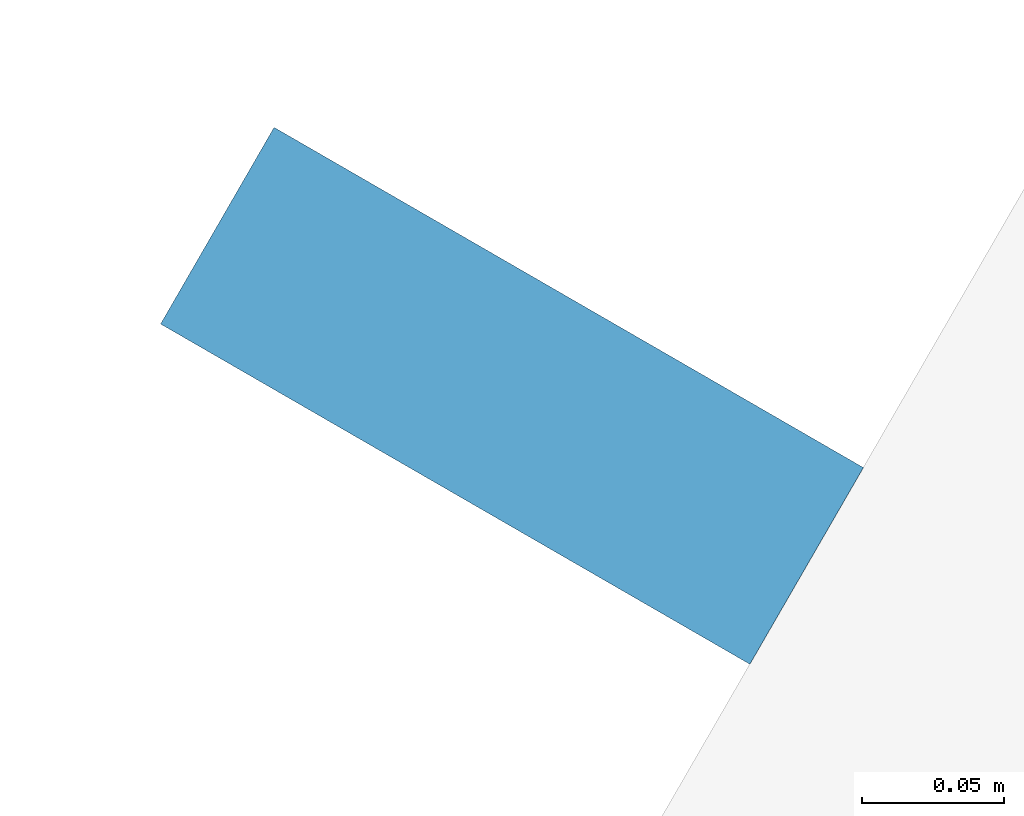
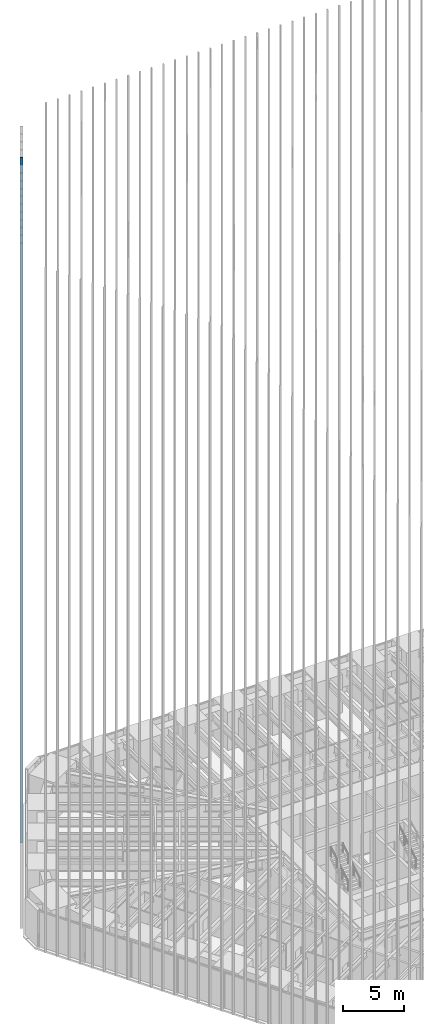
# One storey, part 153 of 256: 1 member, 1 element without a shape of its own.
"""IFC4 building model written with IfcOpenShell, lengths in metres."""

import ifcopenshell
import ifcopenshell.guid

model = None  # the IFC model being written
_history = None  # IfcOwnerHistory: only IFC2X3 demands one
_inside = {}  # id of a spatial element -> (the spatial element, [elements in it])
_under = {}  # id of a project, library or spatial element -> (it, [spatial elements below it])
_declared = {}  # id of a project -> (the project, [libraries it declares])
_typed = {}  # id of a type object -> (the type object, [elements of that type])
_made_of = {}  # id of a material, layer set ... -> (it, [elements and type objects made of it])


def new_model(schema):
    """Start an empty IFC model of exactly this schema.

    Asked for "IFC4X3", IfcOpenShell would pick the latest addendum, in which some entities
    have other attributes; the version numbers below select the first issue.
    IFC2X3 requires an IfcOwnerHistory on every rooted entity: one is made here for all.
    """
    global model, _history
    if schema == "IFC4X3":
        model = ifcopenshell.file(schema_version=(4, 3, 0, 0))
    else:
        model = ifcopenshell.file(schema=schema)
    _inside.clear()
    _under.clear()
    _declared.clear()
    _typed.clear()
    _made_of.clear()
    _history = None
    if model.schema == "IFC2X3":
        org = make("IfcOrganization", Name="unknown")
        user = make(
            "IfcPersonAndOrganization",
            ThePerson=make("IfcPerson", FamilyName="unknown"),
            TheOrganization=org,
        )
        app = make(
            "IfcApplication",
            ApplicationDeveloper=org,
            Version="unknown",
            ApplicationFullName="unknown",
            ApplicationIdentifier="unknown",
        )
        _history = make(
            "IfcOwnerHistory",
            OwningUser=user,
            OwningApplication=app,
            ChangeAction="ADDED",
            CreationDate=0,
        )
    return model


def make(cls, **values):
    """One entity of the class cls with the attributes given. An attribute that is None is left unset."""
    return model.create_entity(
        cls, **{name: value for name, value in values.items() if value is not None}
    )


def rooted(cls, **values):
    """An entity with a GlobalId (a new one), such as an element, a storey or a relation."""
    return make(cls, GlobalId=ifcopenshell.guid.new(), OwnerHistory=_history, **values)


def si_unit(unit_type, name, prefix=None):
    """IfcSIUnit, for example si_unit("LENGTHUNIT", "METRE", prefix="MILLI")."""
    return make("IfcSIUnit", UnitType=unit_type, Prefix=prefix, Name=name)


def assignment(units):
    """IfcUnitAssignment: the units of a project."""
    return None if units is None else make("IfcUnitAssignment", Units=units)


def point(xyz):
    """IfcCartesianPoint."""
    return None if xyz is None else make("IfcCartesianPoint", Coordinates=xyz)


def direction(xyz):
    """IfcDirection."""
    return None if xyz is None else make("IfcDirection", DirectionRatios=xyz)


def frame(location, z_axis=None, x_axis=None):
    """IfcAxis2Placement3D, a coordinate frame: its origin and axes. An axis left out is left unset."""
    return make(
        "IfcAxis2Placement3D",
        Location=point(location),
        Axis=direction(z_axis),
        RefDirection=direction(x_axis),
    )


def frame_2d(location, x_axis=None):
    """IfcAxis2Placement2D, a coordinate frame in the plane: its origin and x axis."""
    return make(
        "IfcAxis2Placement2D", Location=point(location), RefDirection=direction(x_axis)
    )


def origin():
    """The frame at (0, 0, 0) with its axes left unset."""
    return frame((0.0, 0.0, 0.0))


def origin_2d():
    """The frame at (0, 0) in the plane with its x axis left unset."""
    return frame_2d((0.0, 0.0))


def place(relative_to, where):
    """IfcLocalPlacement: puts the frame where relative to a parent placement (None: the world)."""
    return make(
        "IfcLocalPlacement", PlacementRelTo=relative_to, RelativePlacement=where
    )


def context(
    kind, dimensions, precision=None, world=None, true_north=None, identifier=None
):
    """IfcGeometricRepresentationContext, for example the 3D "Model" context."""
    return make(
        "IfcGeometricRepresentationContext",
        ContextIdentifier=identifier,
        ContextType=kind,
        CoordinateSpaceDimension=dimensions,
        Precision=precision,
        WorldCoordinateSystem=world,
        TrueNorth=true_north,
    )


def subcontext(parent, identifier, kind, view, scale=None):
    """IfcGeometricRepresentationSubContext, for example "Body" below "Model"."""
    return make(
        "IfcGeometricRepresentationSubContext",
        ContextIdentifier=identifier,
        ContextType=kind,
        ParentContext=parent,
        TargetScale=scale,
        TargetView=view,
    )


def project(units=None, contexts=None):
    """IfcProject with its units and contexts."""
    return rooted(
        "IfcProject",
        Name="project",
        RepresentationContexts=contexts,
        UnitsInContext=assignment(units),
    )


def spatial(cls, under=None, at=None, **own):
    """A site, building, storey or space (cls), placed at a placement, below another one or the project."""
    s = rooted(cls, ObjectPlacement=at, **own)
    if under is not None:
        _under.setdefault(under.id(), (under, []))[1].append(s)
    return s


def profile(cls, at=None, kind="AREA", **sizes):
    """A parametric profile (cls). Its sizes go by their IFC names, for example OverallWidth=200.0."""
    return make(cls, ProfileType=kind, Position=at, **sizes)


def rectangle(**sizes):
    """IfcRectangleProfileDef."""
    return profile("IfcRectangleProfileDef", **sizes)


def extrude(swept, where, along, depth):
    """IfcExtrudedAreaSolid: the profile swept, set in the frame where, extruded along a direction by depth."""
    return make(
        "IfcExtrudedAreaSolid",
        SweptArea=swept,
        Position=where,
        ExtrudedDirection=direction(along),
        Depth=depth,
    )


def shape(context_of_items, identifier, shape_type, items):
    """IfcShapeRepresentation: the items that make up one representation, for example the "Body"."""
    return make(
        "IfcShapeRepresentation",
        ContextOfItems=context_of_items,
        RepresentationIdentifier=identifier,
        RepresentationType=shape_type,
        Items=items,
    )


def material(Name=None, Category=None):
    """IfcMaterial."""
    return make("IfcMaterial", Name=Name, Category=Category)


def material_profile(
    of_material, cross_section, Name=None, Category=None, Priority=None
):
    """IfcMaterialProfile: a cross section and its material."""
    return make(
        "IfcMaterialProfile",
        Name=Name,
        Material=of_material,
        Profile=cross_section,
        Priority=Priority,
        Category=Category,
    )


def profile_set(profiles, Name=None, composite=None):
    """IfcMaterialProfileSet."""
    return make(
        "IfcMaterialProfileSet",
        Name=Name,
        MaterialProfiles=profiles,
        CompositeProfile=composite,
    )


def made_of(thing, what):
    """Note that an element or type object is made of a material, layer set ...; save() writes the relation."""
    if what is not None:
        _made_of.setdefault(what.id(), (what, []))[1].append(thing)
    return thing


def type_object(cls, material=None, **own):
    """A type object (cls), such as IfcWallType, which elements share."""
    return made_of(rooted(cls, **own), material)


def element(
    cls,
    number,
    at=None,
    inside=None,
    cuts=None,
    type_object=None,
    material=None,
    context=None,
    identifier="Body",
    shape_type=None,
    held_by="IfcProductDefinitionShape",
    body=None,
    shapes=None,
    **own,
):
    """One element of the class cls, such as IfcWall. Its Tag is "e" and its number.

    at: its placement. inside: the storey or other place that contains it. cuts: it is an
    opening in that element (IfcRelVoidsElement). A single representation is given by context,
    identifier, shape_type and body (its items); several are given by shapes. held_by: the class
    of the entity that holds the representations. save() writes the other relations.
    """
    e = rooted(cls, Tag="e%d" % number, ObjectPlacement=at, **own)
    if body is not None:
        shapes = [shape(context, identifier, shape_type, body)]
    if shapes is not None:
        e.Representation = make(held_by, Representations=shapes)
    if inside is not None:
        _inside.setdefault(inside.id(), (inside, []))[1].append(e)
    if cuts is not None:
        rooted(
            "IfcRelVoidsElement", RelatingBuildingElement=cuts, RelatedOpeningElement=e
        )
    if type_object is not None:
        _typed.setdefault(type_object.id(), (type_object, []))[1].append(e)
    return made_of(e, material)


def aggregate(whole, parts):
    """IfcRelAggregates: a whole, such as a stair, and the parts it consists of."""
    return rooted("IfcRelAggregates", RelatingObject=whole, RelatedObjects=parts)


def save(model, path):
    """Write the relations noted so far, then the file.

    IfcRelAggregates (storeys below a building ...), IfcRelContainedInSpatialStructure (elements
    in a storey), IfcRelDefinesByType, IfcRelAssociatesMaterial and IfcRelDeclares: one each for
    every whole, place, type object, material and project.
    """
    for whole, parts in _under.values():
        aggregate(whole, parts)
    for where, things in _inside.values():
        rooted(
            "IfcRelContainedInSpatialStructure",
            RelatedElements=things,
            RelatingStructure=where,
        )
    for kind, things in _typed.values():
        rooted("IfcRelDefinesByType", RelatedObjects=things, RelatingType=kind)
    for what, things in _made_of.values():
        rooted("IfcRelAssociatesMaterial", RelatedObjects=things, RelatingMaterial=what)
    for by, libraries in _declared.values():
        rooted("IfcRelDeclares", RelatingContext=by, RelatedDefinitions=libraries)
    model.write(path)


model = new_model("IFC4")

# Units and contexts
model_context = context("Model", 3, precision=1e-05, world=origin(), true_north=direction((0.0, 1.0)))
body_context = subcontext(model_context, "Body", "Model", "MODEL_VIEW")
ifc_project = project(units=[si_unit("LENGTHUNIT", "METRE"), si_unit("AREAUNIT", "SQUARE_METRE"), si_unit("VOLUMEUNIT", "CUBIC_METRE"), si_unit("PLANEANGLEUNIT", "RADIAN"), si_unit("MASSUNIT", "GRAM", prefix="KILO")], contexts=[model_context])

# Site, building, storey
site_placement = place(None, origin())
site = spatial("IfcSite", under=ifc_project, at=site_placement, CompositionType="ELEMENT")
building_placement = place(site_placement, origin())
building = spatial("IfcBuilding", under=site, at=building_placement, Name="Sandreach Pilgrim Tower", CompositionType="ELEMENT")
storey_placement = place(building_placement, frame((0.0, 0.0, 23.0)))
storey = spatial("IfcBuildingStorey", under=building, at=storey_placement, Name="L04", CompositionType="ELEMENT", Elevation=23.0)

# Curtain wall, member
ifc_material_1 = material(Name="Aluminium framed curtain wall", Category="aluminium")
curtain_wall_type = type_object("IfcCurtainWallType", Name="Hostel tower curtain wall", PredefinedType="NOTDEFINED", material=ifc_material_1)
curtain_wall_placement = place(storey_placement, origin())
curtain_wall = element("IfcCurtainWall", 1, at=curtain_wall_placement, inside=storey, type_object=curtain_wall_type, Name="CW-1 L04 NW", PredefinedType="NOTDEFINED")
ifc_material_2 = material(Name="Extruded terracotta on aluminium core", Category="masonry")
ifc_material_profile = material_profile(ifc_material_2, rectangle(XDim=0.080078125, YDim=0.239990234375, at=origin_2d()), Name="TBW 80X240")
ifc_profile_set = profile_set([ifc_material_profile], Name="Extruded terracotta on aluminium core")
member_type = type_object("IfcMemberType", Name="Terracotta baguette west", PredefinedType="USERDEFINED", material=ifc_profile_set)
member_placement = place(storey_placement, frame((-24.41552734375, 18.57275390625, 0.0), z_axis=(0.0, 0.0, 1.0), x_axis=(0.5, 0.866025403784, 0.0)))
member = element("IfcMember", 2, at=member_placement, type_object=member_type, Name="Baguette Z1 NW12", ObjectType="BAGUETTE", PredefinedType="USERDEFINED", context=body_context, shape_type="SweptSolid", body=[
    extrude(rectangle(XDim=0.080078125, YDim=0.239990234375, at=origin_2d()), origin(), (0.0, 0.0, 1.0), 68.239990234375),
])
aggregate(curtain_wall, [member])

save(model, "model.ifc")
